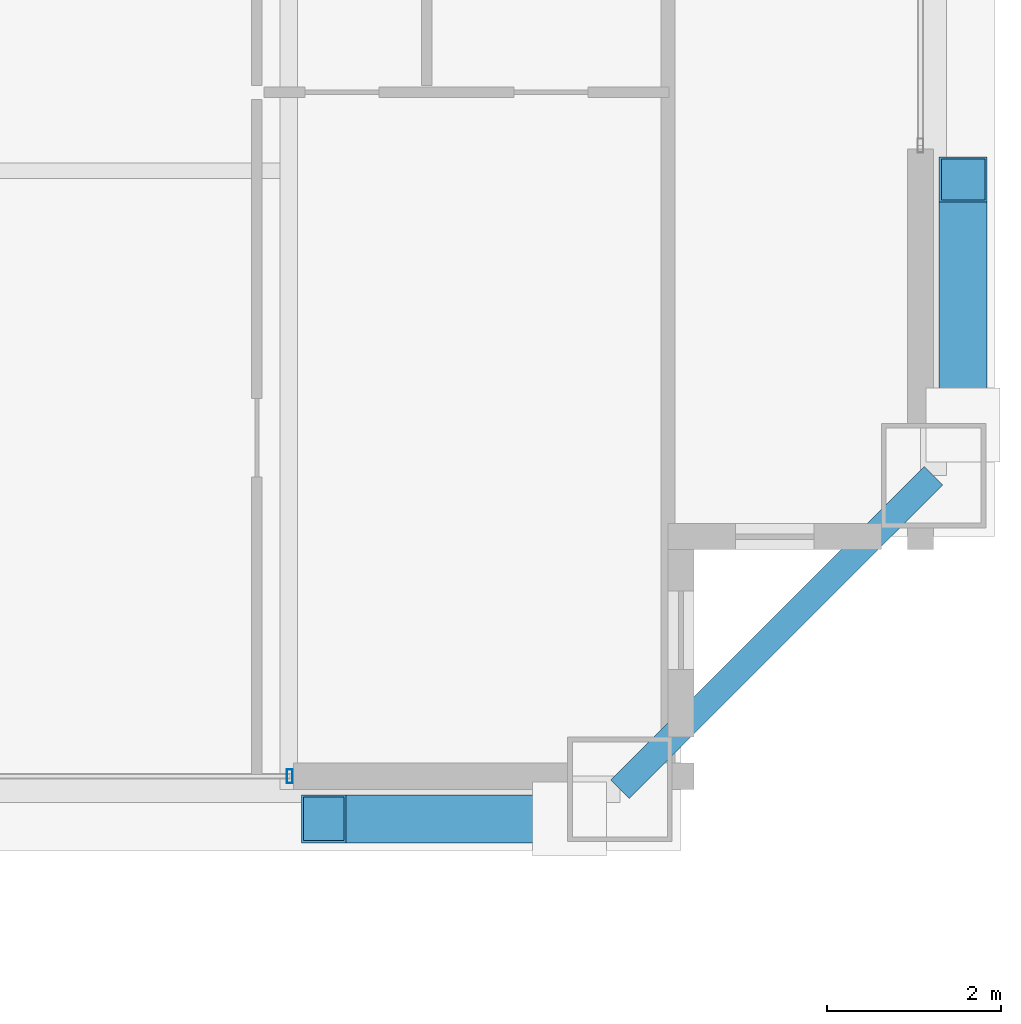
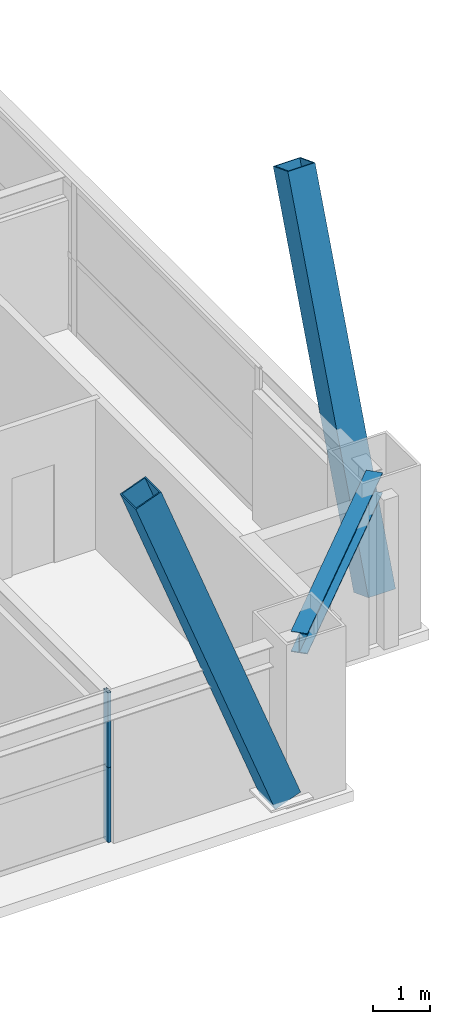
# One storey, part 14 of 36: 4 members, 1 beam, 1 element without a shape of its own.
"""IFC4 building model written with IfcOpenShell, lengths in metres."""

from ifc_helpers import new_model, si_unit, direction, frame, origin, origin_2d, place, context, subcontext, project, spatial, hollow_rectangle, i_section, extrude, source, transform, mapped, material, layer, layer_set, material_profile, profile_set, type_object, element, aggregate, save


model = new_model("IFC4")

# Units and contexts
model_context = context("Model", 3, precision=1e-05, world=origin(), true_north=direction((0.0, 1.0)))
body_context = subcontext(model_context, "Body", "Model", "MODEL_VIEW")
ifc_project = project(units=[si_unit("LENGTHUNIT", "METRE"), si_unit("AREAUNIT", "SQUARE_METRE"), si_unit("VOLUMEUNIT", "CUBIC_METRE"), si_unit("PLANEANGLEUNIT", "RADIAN"), si_unit("MASSUNIT", "GRAM", prefix="KILO"), si_unit("THERMODYNAMICTEMPERATUREUNIT", "KELVIN"), si_unit("POWERUNIT", "WATT")], contexts=[model_context])

# Site, building, storey
site_placement = place(None, origin())
site = spatial("IfcSite", under=ifc_project, at=site_placement, CompositionType="ELEMENT")
building_placement = place(site_placement, origin())
building = spatial("IfcBuilding", under=site, at=building_placement, Name="Yuzanri Waterfront Tower", CompositionType="ELEMENT")
storey_placement = place(building_placement, frame((0.0, 0.0, 255.60009765625)))
storey = spatial("IfcBuildingStorey", under=building, at=storey_placement, Name="L68", CompositionType="ELEMENT", Elevation=255.60009765625)

# Beam
ifc_material_1 = material(Name="Steel Q355B", Category="steel")
ifc_material_profile_1 = material_profile(ifc_material_1, i_section(OverallWidth=0.300048828125, OverallDepth=0.43994140625, WebThickness=0.010986328125, FlangeThickness=0.01806640625, at=origin_2d()), Name="HM 440x300x11x18")
ifc_profile_set_1 = profile_set([ifc_material_profile_1], Name="Steel Q355B")
beam_type = type_object("IfcBeamType", Name="Perimeter Spandrel Q355B HM 440x300", PredefinedType="SPANDREL", material=ifc_profile_set_1)
shared_shape_1 = source(origin(), body_context, "Body", "SweptSolid", [
    extrude(i_section(OverallWidth=0.300048828125, OverallDepth=0.43994140625, WebThickness=0.010986328125, FlangeThickness=0.01806640625, at=origin_2d()), origin(), (0.0, 0.0, 1.0), 5.09130859375),
])
beam_placement = place(storey_placement, frame((54.0, 5.199951171875, 2.97998046875), z_axis=(0.707106781187, 0.707106781187, 0.0), x_axis=(-0.707106781187, 0.707106781187, 0.0)))
element("IfcBeam", 1, at=beam_placement, inside=storey, type_object=beam_type, Name="L68 Perimeter Spandrel S3-E1", PredefinedType="SPANDREL", context=body_context, shape_type="MappedRepresentation", body=[
    mapped(shared_shape_1, transform((0.0, 0.0, 0.0), scale=1.0)),
])

# Members
ifc_material_2 = material(Name="Steel Q390GJC", Category="steel")
ifc_material_profile_2 = material_profile(ifc_material_2, hollow_rectangle(XDim=0.550048828125, YDim=0.550048828125, WallThickness=0.02490234375, at=origin_2d()), Name="RHS 550x550x25")
ifc_profile_set_2 = profile_set([ifc_material_profile_2], Name="Steel Q390GJC")
member_type_1 = type_object("IfcMemberType", Name="Mega Brace Mid Q390GJC RHS 550x550x25", PredefinedType="BRACE", material=ifc_profile_set_2)
shared_shape_2 = source(origin(), body_context, "Body", "SweptSolid", [
    extrude(hollow_rectangle(XDim=0.550048828125, YDim=0.550048828125, WallThickness=0.02490234375, at=origin_2d()), origin(), (0.0, 0.0, 1.0), 7.9189453125),
])
for number, where, z_axis, x_axis, name in (
    (2, (53.419921875, 4.860107421875, 0.179931640625), (-0.356085068362, 0.0, 0.934453543034), (0.0, -1.0, 0.0), "L68-L69 Perimeter Mega-Brace S-R"),
    (3, (57.93994140625, 9.3798828125, 0.179931640625), (0.0, 0.356111988672, 0.934443284274), (-1.0, 0.0, 0.0), "L68-L69 Perimeter Mega-Brace E-L"),
):
    element("IfcMember", number, at=place(storey_placement, frame(where, z_axis=z_axis, x_axis=x_axis)), inside=storey, type_object=member_type_1, Name=name, PredefinedType="BRACE", context=body_context, shape_type="MappedRepresentation", body=[
        mapped(shared_shape_2, transform((0.0, 0.0, 0.0), scale=1.0)),
    ])

# Curtain wall, members
ifc_material_3 = material(Name="Anodized Architectural Bronze", Category="metal")
ifc_layer = layer(ifc_material_3, 0.159912109375)
ifc_layer_set = layer_set([ifc_layer], Name="Anodized Architectural Bronze")
curtain_wall_type = type_object("IfcCurtainWallType", Name="Anodized Bronze Mid-Rise Residential Acoustic Unitized Curtain Wall 7200", PredefinedType="NOTDEFINED", material=ifc_layer_set)
curtain_wall_placement = place(storey_placement, origin())
curtain_wall = element("IfcCurtainWall", 4, at=curtain_wall_placement, inside=storey, type_object=curtain_wall_type, Name="L68 Curtain Wall CW-L68-SR2", PredefinedType="NOTDEFINED")
ifc_material_4 = material(Name="Anodized Architectural Bronze", Category="metal")
ifc_material_profile_3 = material_profile(ifc_material_4, hollow_rectangle(XDim=0.06494140625, YDim=0.159912109375, WallThickness=0.00341796875, at=origin_2d()), Name="CWM 65x160")
ifc_profile_set_3 = profile_set([ifc_material_profile_3], Name="Anodized Architectural Bronze")
member_type_2 = type_object("IfcMemberType", Name="Anodized Bronze Upper-Zone Curtain-Wall Mullion 65x160", PredefinedType="MULLION", material=ifc_profile_set_3)
shared_shape_3 = source(origin(), body_context, "Body", "SweptSolid", [
    extrude(hollow_rectangle(XDim=0.06494140625, YDim=0.159912109375, WallThickness=0.00341796875, at=origin_2d()), origin(), (0.0, 0.0, 1.0), 1.597900390625),
])
member_1_placement = place(storey_placement, frame((50.2099609375, 5.35009765625, 0.0), z_axis=(0.0, 0.0, 1.0), x_axis=(1.0, 0.0, 0.0)))
member_1 = element("IfcMember", 5, at=member_1_placement, type_object=member_type_2, Name="CW-L68-SR2 Lower Mullion 01", PredefinedType="MULLION", context=body_context, shape_type="MappedRepresentation", body=[
    mapped(shared_shape_3, transform((0.0, 0.0, 0.0), scale=1.0)),
])
shared_shape_4 = source(origin(), body_context, "Body", "SweptSolid", [
    extrude(hollow_rectangle(XDim=0.06494140625, YDim=0.159912109375, WallThickness=0.00341796875, at=origin_2d()), origin(), (0.0, 0.0, 1.0), 1.59814453125),
])
member_2_placement = place(storey_placement, frame((50.2099609375, 5.35009765625, 1.601806640625), z_axis=(0.0, 0.0, 1.0), x_axis=(1.0, 0.0, 0.0)))
member_2 = element("IfcMember", 6, at=member_2_placement, type_object=member_type_2, Name="CW-L68-SR2 Upper Mullion 01", PredefinedType="MULLION", context=body_context, shape_type="MappedRepresentation", body=[
    mapped(shared_shape_4, transform((0.0, 0.0, 0.0), scale=1.0)),
])
aggregate(curtain_wall, [member_1, member_2])

save(model, "model.ifc")
